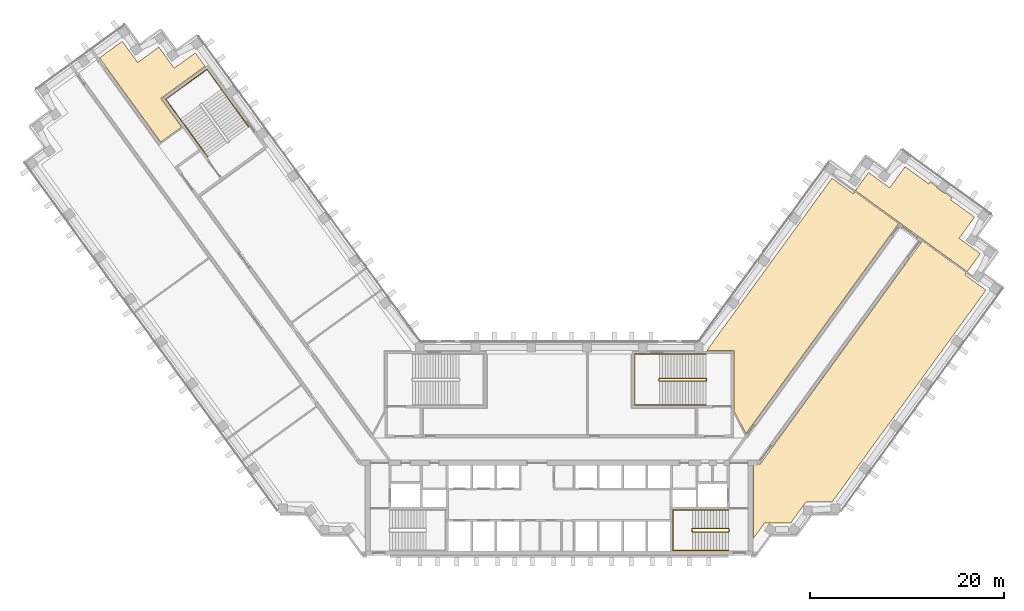
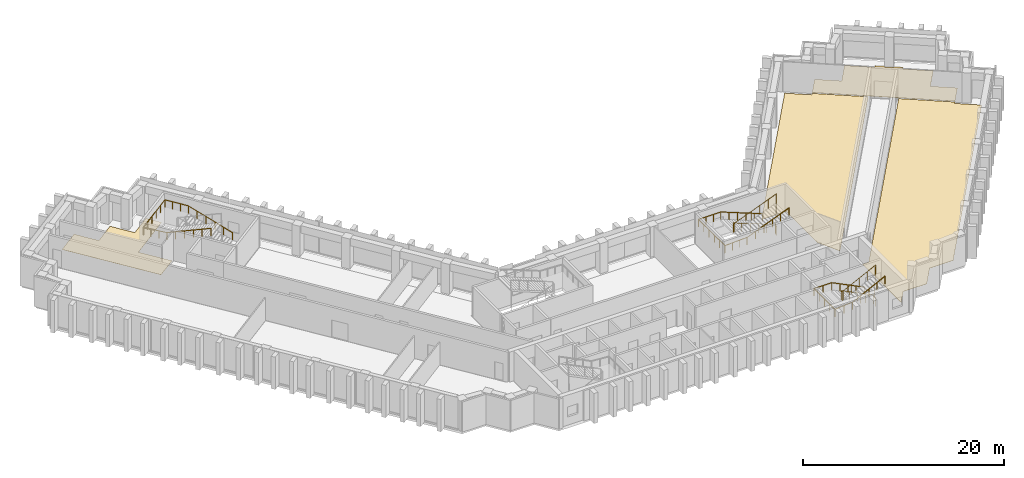
# One storey, part 13 of 13: 5 railings, 4 coverings.
"""IFC4 building model written with IfcOpenShell, lengths in metres."""

from ifc_helpers import new_model, si_unit, direction, frame, origin, origin_2d, place, context, subcontext, project, spatial, polyline, circle, outline, extrude, material, layer, layer_set, type_object, element, save


model = new_model("IFC4")

# Units and contexts
model_context = context("Model", 3, precision=1e-05, world=origin(), true_north=direction((0.0, 1.0)))
body_context = subcontext(model_context, "Body", "Model", "MODEL_VIEW")
ifc_project = project(units=[si_unit("LENGTHUNIT", "METRE"), si_unit("AREAUNIT", "SQUARE_METRE"), si_unit("VOLUMEUNIT", "CUBIC_METRE"), si_unit("PLANEANGLEUNIT", "RADIAN"), si_unit("MASSUNIT", "GRAM", prefix="KILO")], contexts=[model_context])

# Site, building, storey
site_placement = place(None, origin())
site = spatial("IfcSite", under=ifc_project, at=site_placement, CompositionType="ELEMENT")
building_placement = place(site_placement, origin())
building = spatial("IfcBuilding", under=site, at=building_placement, Name="Quipu Civic Tower", CompositionType="ELEMENT")
storey_placement = place(building_placement, frame((0.0, 0.0, 85.0)))
storey = spatial("IfcBuildingStorey", under=building, at=storey_placement, Name="L19", CompositionType="ELEMENT", Elevation=85.0)

# Coverings
ifc_material_1 = material(Name="Carpet tile on raised access floor")
ifc_layer = layer(ifc_material_1, 0.02001953125)
ifc_layer_set = layer_set([ifc_layer], Name="Carpet tile on raised access floor")
covering_type = type_object("IfcCoveringType", Name="Carpet tile floor finish 20", PredefinedType="FLOORING", material=ifc_layer_set)
covering_1_placement = place(storey_placement, origin())
element("IfcCovering", 1, at=covering_1_placement, inside=storey, type_object=covering_type, Name="Carpet tile floor finish 20", PredefinedType="FLOORING", context=body_context, shape_type="SweptSolid", body=[
    extrude(outline(polyline([(-47.471923828125, 40.39794921875), (-45.116943359375, 42.10791015625), (-43.531982421875, 39.925048828125), (-41.346923828125, 41.510986328125), (-39.760009765625, 39.326904296875), (-37.574951171875, 40.9130859375), (-36.570068359375, 39.530029296875), (-41.139892578125, 36.208984375), (-38.998046875, 33.260009765625), (-41.15087890625, 31.697021484375), (-47.471923828125, 40.39794921875)])), origin(), (0.0, 0.0, 1.0), 0.02001953125),
])
covering_2_placement = place(storey_placement, origin())
element("IfcCovering", 2, at=covering_2_placement, inside=storey, type_object=covering_type, Name="Carpet tile floor finish 20", PredefinedType="FLOORING", context=body_context, shape_type="SweptSolid", body=[
    extrude(outline(polyline([(15.238037109375, 10.169921875), (28.169921875, 27.968994140625), (30.35302734375, 26.383056640625), (30.5009765625, 26.583984375), (35.0400390625, 23.2880859375), (19.27197265625, 1.583984375), (18.070068359375, 3.94189453125), (18.070068359375, 10.1689453125), (15.238037109375, 10.169921875)])), origin(), (0.0, 0.0, 1.0), 0.02001953125),
])
covering_3_placement = place(storey_placement, origin())
element("IfcCovering", 3, at=covering_3_placement, inside=storey, type_object=covering_type, Name="Carpet tile floor finish 20", PredefinedType="FLOORING", context=body_context, shape_type="SweptSolid", body=[
    extrude(outline(polyline([(20.070068359375, -9.195068359375), (20.070068359375, -1.52001953125), (20.77490234375, -1.51904296875), (37.4990234375, 21.5), (42.0380859375, 18.201904296875), (41.89208984375, 17.9990234375), (44.074951171875, 16.4140625), (28.181884765625, -5.4609375), (25.48193359375, -5.4619140625), (25.2080078125, -5.840087890625), (25.205078125, -5.841064453125), (25.200927734375, -5.843017578125), (25.197021484375, -5.844970703125), (25.193115234375, -5.847900390625), (25.18896484375, -5.85205078125), (25.18603515625, -5.85498046875), (25.18310546875, -5.85888671875), (25.179931640625, -5.863037109375), (25.177978515625, -5.867919921875), (25.177001953125, -5.8720703125), (25.175048828125, -5.876953125), (25.175048828125, -5.882080078125), (25.174072265625, -5.885986328125), (23.89501953125, -7.64599609375), (21.721923828125, -7.64599609375), (21.721923828125, -7.64599609375), (21.718017578125, -7.64306640625), (21.712890625, -7.64111328125), (21.708984375, -7.638916015625), (21.7041015625, -7.637939453125), (21.698974609375, -7.636962890625), (21.694091796875, -7.635986328125), (21.68896484375, -7.636962890625), (21.68408203125, -7.636962890625), (21.679931640625, -7.637939453125), (21.675048828125, -7.639892578125), (21.669921875, -7.64111328125), (21.666015625, -7.64404296875), (21.6630859375, -7.64599609375), (21.196044921875, -7.64599609375), (20.070068359375, -9.195068359375)])), origin(), (0.0, 0.0, 1.0), 0.02001953125),
])
covering_4_placement = place(storey_placement, origin())
element("IfcCovering", 4, at=covering_4_placement, inside=storey, type_object=covering_type, Name="Carpet tile floor finish 20", PredefinedType="FLOORING", context=body_context, shape_type="SweptSolid", body=[
    extrude(outline(polyline([(30.583984375, 26.697021484375), (31.94189453125, 28.56591796875), (34.126953125, 26.97998046875), (35.712890625, 29.1640625), (38.169921875, 27.37890625), (38.324951171875, 27.587890625), (39.044921875, 27.06396484375), (39.02197265625, 27.031982421875), (39.01904296875, 27.028076171875), (39.01708984375, 27.02294921875), (39.014892578125, 27.01904296875), (39.013916015625, 27.013916015625), (39.012939453125, 27.009033203125), (39.011962890625, 27.00390625), (39.011962890625, 27.0), (39.012939453125, 26.9951171875), (39.013916015625, 26.989990234375), (39.014892578125, 26.985107421875), (39.01708984375, 26.98095703125), (39.02001953125, 26.97607421875), (39.02197265625, 26.971923828125), (39.02490234375, 26.968994140625), (39.029052734375, 26.965087890625), (39.032958984375, 26.9619140625), (39.760986328125, 26.43310546875), (39.764892578125, 26.429931640625), (39.76904296875, 26.427978515625), (39.77392578125, 26.426025390625), (39.779052734375, 26.425048828125), (39.782958984375, 26.424072265625), (39.7880859375, 26.423095703125), (39.79296875, 26.424072265625), (39.798095703125, 26.424072265625), (39.802978515625, 26.425048828125), (39.80810546875, 26.427001953125), (39.81201171875, 26.427978515625), (39.81591796875, 26.430908203125), (39.820068359375, 26.43408203125), (39.823974609375, 26.43701171875), (39.827880859375, 26.43994140625), (39.8310546875, 26.444091796875), (39.85400390625, 26.47705078125), (40.574951171875, 25.952880859375), (40.424072265625, 25.740966796875), (42.881103515625, 23.95703125), (41.2939453125, 21.77294921875), (43.47802734375, 20.18505859375), (42.12109375, 18.31591796875), (30.583984375, 26.697021484375)])), origin(), (0.0, 0.0, 1.0), 0.02001953125),
])

# Railings
ifc_material_2 = material(Name="Stainless steel", Category="steel")
railing_type_1 = type_object("IfcRailingType", Name="Stair guard 1100", PredefinedType="GUARDRAIL", material=ifc_material_2)
railing_1_placement = place(storey_placement, frame((17.5, -8.199951171875, 0.15380859375)))
element("IfcRailing", 5, at=railing_1_placement, inside=storey, type_object=railing_type_1, Name="Stair 2 guard", PredefinedType="GUARDRAIL", context=body_context, shape_type="SweptSolid", body=[
    extrude(circle(Radius=0.02392578125, at=origin_2d()), frame((0.0, 0.0, 1.076171875), z_axis=(-0.895751851347, 0.0, 0.444554407028), x_axis=(0.0, -1.0, 0.0)), (0.0, 0.0, 1.0), 4.15283203125),
    extrude(circle(Radius=0.02392578125, at=origin_2d()), frame((-3.719970703125, 0.0, 2.92236328125), z_axis=(-0.707106781187, -0.707106781187, 0.0), x_axis=(0.707106781187, -0.707106781187, 0.0)), (0.0, 0.0, 1.0), 0.07080078125),
    extrude(circle(Radius=0.02392578125, at=origin_2d()), frame((-3.77001953125, -0.050048828125, 2.92236328125), z_axis=(0.0, -1.0, 0.0), x_axis=(1.0, 0.0, 0.0)), (0.0, 0.0, 1.0), 0.25),
    extrude(circle(Radius=0.02392578125, at=origin_2d()), frame((-3.77001953125, -0.300048828125, 2.92236328125), z_axis=(0.295599637079, -0.295599637079, 0.908428152975), x_axis=(0.707106781187, 0.707106781187, 0.0)), (0.0, 0.0, 1.0), 0.16943359375),
    extrude(circle(Radius=0.02392578125, at=origin_2d()), frame((-3.719970703125, -0.35009765625, 3.076171875), z_axis=(0.895751851347, 0.0, 0.444554407028), x_axis=(0.0, 1.0, 0.0)), (0.0, 0.0, 1.0), 4.15283203125),
    extrude(circle(Radius=0.02392578125, at=origin_2d()), frame((0.0, -0.35009765625, 4.92236328125), z_axis=(0.012476181752, 0.074796231092, -0.997120789425), x_axis=(-0.986372223864, 0.164529134168, 0.0)), (0.0, 0.0, 1.0), 4.011474609375),
    extrude(circle(Radius=0.02392578125, at=origin_2d()), frame((0.050048828125, -0.050048828125, 0.92236328125), z_axis=(0.0, -1.0, 0.0), x_axis=(1.0, 0.0, 0.0)), (0.0, 0.0, 1.0), 0.25),
    extrude(circle(Radius=0.02099609375, at=origin_2d()), origin(), (0.0, 0.0, 1.0), 1.052001953125),
    extrude(circle(Radius=0.02099609375, at=origin_2d()), frame((-0.929931640625, 0.0, 0.46142578125)), (0.0, 0.0, 1.0), 1.052001953125),
    extrude(circle(Radius=0.02099609375, at=origin_2d()), frame((-1.85986328125, 0.0, 0.923095703125)), (0.0, 0.0, 1.0), 1.052001953125),
    extrude(circle(Radius=0.02099609375, at=origin_2d()), frame((-2.7900390625, 0.0, 1.384765625)), (0.0, 0.0, 1.0), 1.052001953125),
    extrude(circle(Radius=0.02099609375, at=origin_2d()), frame((-3.719970703125, 0.0, 1.84619140625)), (0.0, 0.0, 1.0), 1.052001953125),
    extrude(circle(Radius=0.02099609375, at=origin_2d()), frame((-3.77001953125, -0.050048828125, 1.84619140625)), (0.0, 0.0, 1.0), 1.052001953125),
    extrude(circle(Radius=0.02099609375, at=origin_2d()), frame((-3.77001953125, -0.300048828125, 1.84619140625)), (0.0, 0.0, 1.0), 1.052001953125),
    extrude(circle(Radius=0.02099609375, at=origin_2d()), frame((-3.719970703125, -0.35009765625, 2.0)), (0.0, 0.0, 1.0), 1.052001953125),
    extrude(circle(Radius=0.02099609375, at=origin_2d()), frame((-2.7900390625, -0.35009765625, 2.46142578125)), (0.0, 0.0, 1.0), 1.052001953125),
    extrude(circle(Radius=0.02099609375, at=origin_2d()), frame((-1.85986328125, -0.35009765625, 2.923095703125)), (0.0, 0.0, 1.0), 1.052001953125),
    extrude(circle(Radius=0.02099609375, at=origin_2d()), frame((-0.929931640625, -0.35009765625, 3.384765625)), (0.0, 0.0, 1.0), 1.052001953125),
    extrude(circle(Radius=0.02099609375, at=origin_2d()), frame((0.0, -0.35009765625, 3.84619140625)), (0.0, 0.0, 1.0), 1.052001953125),
    extrude(circle(Radius=0.02099609375, at=origin_2d()), frame((0.012451171875, -0.275146484375, 2.84619140625)), (0.0, 0.0, 1.0), 1.052001953125),
    extrude(circle(Radius=0.02099609375, at=origin_2d()), frame((0.02490234375, -0.2001953125, 1.84619140625)), (0.0, 0.0, 1.0), 1.052001953125),
    extrude(circle(Radius=0.02099609375, at=origin_2d()), frame((0.03759765625, -0.125, 0.84619140625)), (0.0, 0.0, 1.0), 1.052001953125),
    extrude(circle(Radius=0.02099609375, at=origin_2d()), frame((0.050048828125, -0.050048828125, -0.15380859375)), (0.0, 0.0, 1.0), 1.052001953125),
    extrude(circle(Radius=0.02099609375, at=origin_2d()), frame((0.050048828125, -0.300048828125, -0.15380859375)), (0.0, 0.0, 1.0), 1.052001953125),
])
railing_2_placement = place(storey_placement, frame((15.14990234375, 7.300048828125, 0.11767578125)))
element("IfcRailing", 6, at=railing_2_placement, inside=storey, type_object=railing_type_1, Name="Stair 4 guard", PredefinedType="GUARDRAIL", context=body_context, shape_type="SweptSolid", body=[
    extrude(circle(Radius=0.02392578125, at=origin_2d()), frame((0.0, 0.0, 1.076171875), z_axis=(-0.930970042603, 0.0, 0.365095576219), x_axis=(0.0, -1.0, 0.0)), (0.0, 0.0, 1.0), 5.15576171875),
    extrude(circle(Radius=0.02392578125, at=origin_2d()), frame((-4.7998046875, 0.0, 2.95849609375), z_axis=(-0.707106781187, -0.707106781187, 0.0), x_axis=(0.707106781187, -0.707106781187, 0.0)), (0.0, 0.0, 1.0), 0.07080078125),
    extrude(circle(Radius=0.02392578125, at=origin_2d()), frame((-4.849853515625, -0.050048828125, 2.95849609375), z_axis=(0.0, -1.0, 0.0), x_axis=(1.0, 0.0, 0.0)), (0.0, 0.0, 1.0), 0.14990234375),
    extrude(circle(Radius=0.02392578125, at=origin_2d()), frame((-4.849853515625, -0.199951171875, 2.95849609375), z_axis=(0.364463019033, -0.364463019033, 0.856932561824), x_axis=(0.707106781187, 0.707106781187, 0.0)), (0.0, 0.0, 1.0), 0.13720703125),
    extrude(circle(Radius=0.02392578125, at=origin_2d()), frame((-4.7998046875, -0.25, 3.076171875), z_axis=(0.930970042603, 0.0, 0.365095576219), x_axis=(0.0, 1.0, 0.0)), (0.0, 0.0, 1.0), 5.15576171875),
    extrude(circle(Radius=0.02392578125, at=origin_2d()), frame((0.0, -0.25, 4.95849609375), z_axis=(0.012495627992, 0.049921557685, -0.998674970829), x_axis=(-0.970072785993, 0.242814311512, 0.0)), (0.0, 0.0, 1.0), 4.00537109375),
    extrude(circle(Radius=0.02392578125, at=origin_2d()), frame((0.050048828125, -0.050048828125, 0.95849609375), z_axis=(0.0, -1.0, 0.0), x_axis=(1.0, 0.0, 0.0)), (0.0, 0.0, 1.0), 0.14990234375),
    extrude(circle(Radius=0.02099609375, at=origin_2d()), origin(), (0.0, 0.0, 1.0), 1.052001953125),
    extrude(circle(Radius=0.02099609375, at=origin_2d()), frame((-0.9599609375, 0.0, 0.37646484375)), (0.0, 0.0, 1.0), 1.052001953125),
    extrude(circle(Radius=0.02099609375, at=origin_2d()), frame((-1.919921875, 0.0, 0.7529296875)), (0.0, 0.0, 1.0), 1.052001953125),
    extrude(circle(Radius=0.02099609375, at=origin_2d()), frame((-2.8798828125, 0.0, 1.12939453125)), (0.0, 0.0, 1.0), 1.052001953125),
    extrude(circle(Radius=0.02099609375, at=origin_2d()), frame((-3.83984375, 0.0, 1.505859375)), (0.0, 0.0, 1.0), 1.052001953125),
    extrude(circle(Radius=0.02099609375, at=origin_2d()), frame((-4.7998046875, 0.0, 1.88232421875)), (0.0, 0.0, 1.0), 1.052001953125),
    extrude(circle(Radius=0.02099609375, at=origin_2d()), frame((-4.849853515625, -0.050048828125, 1.88232421875)), (0.0, 0.0, 1.0), 1.052001953125),
    extrude(circle(Radius=0.02099609375, at=origin_2d()), frame((-4.849853515625, -0.199951171875, 1.88232421875)), (0.0, 0.0, 1.0), 1.052001953125),
    extrude(circle(Radius=0.02099609375, at=origin_2d()), frame((-4.7998046875, -0.25, 2.0)), (0.0, 0.0, 1.0), 1.052001953125),
    extrude(circle(Radius=0.02099609375, at=origin_2d()), frame((-3.83984375, -0.25, 2.37646484375)), (0.0, 0.0, 1.0), 1.052001953125),
    extrude(circle(Radius=0.02099609375, at=origin_2d()), frame((-2.8798828125, -0.25, 2.7529296875)), (0.0, 0.0, 1.0), 1.052001953125),
    extrude(circle(Radius=0.02099609375, at=origin_2d()), frame((-1.919921875, -0.25, 3.12939453125)), (0.0, 0.0, 1.0), 1.052001953125),
    extrude(circle(Radius=0.02099609375, at=origin_2d()), frame((-0.9599609375, -0.25, 3.505859375)), (0.0, 0.0, 1.0), 1.052001953125),
    extrude(circle(Radius=0.02099609375, at=origin_2d()), frame((0.0, -0.25, 3.88232421875)), (0.0, 0.0, 1.0), 1.052001953125),
    extrude(circle(Radius=0.02099609375, at=origin_2d()), frame((0.012451171875, -0.199951171875, 2.88232421875)), (0.0, 0.0, 1.0), 1.052001953125),
    extrude(circle(Radius=0.02099609375, at=origin_2d()), frame((0.02490234375, -0.14990234375, 1.88232421875)), (0.0, 0.0, 1.0), 1.052001953125),
    extrude(circle(Radius=0.02099609375, at=origin_2d()), frame((0.03759765625, -0.10009765625, 0.88232421875)), (0.0, 0.0, 1.0), 1.052001953125),
    extrude(circle(Radius=0.02099609375, at=origin_2d()), frame((0.050048828125, -0.050048828125, -0.11767578125)), (0.0, 0.0, 1.0), 1.052001953125),
    extrude(circle(Radius=0.02099609375, at=origin_2d()), frame((0.050048828125, -0.199951171875, -0.11767578125)), (0.0, 0.0, 1.0), 1.052001953125),
])
ifc_material_3 = material(Name="Stainless steel", Category="steel")
railing_type_2 = type_object("IfcRailingType", Name="Stair handrail", PredefinedType="HANDRAIL", material=ifc_material_3)
railing_3_placement = place(storey_placement, frame((17.5, -6.300048828125, 0.15380859375)))
element("IfcRailing", 7, at=railing_3_placement, inside=storey, type_object=railing_type_2, Name="Stair 2 handrail", PredefinedType="HANDRAIL", context=body_context, shape_type="SweptSolid", body=[
    extrude(circle(Radius=0.02392578125, at=origin_2d()), frame((0.0, 0.0, 0.8759765625), z_axis=(-0.895751851347, 0.0, 0.444554407028), x_axis=(0.0, -1.0, 0.0)), (0.0, 0.0, 1.0), 4.15283203125),
    extrude(circle(Radius=0.02392578125, at=origin_2d()), frame((-3.719970703125, 0.0, 2.72216796875), z_axis=(-1.0, 0.0, 0.0), x_axis=(0.0, -1.0, 0.0)), (0.0, 0.0, 1.0), 2.030029296875),
    extrude(circle(Radius=0.02392578125, at=origin_2d()), frame((-5.75, 0.0, 2.72216796875), z_axis=(0.0, -1.0, 0.0), x_axis=(1.0, 0.0, 0.0)), (0.0, 0.0, 1.0), 4.14990234375),
    extrude(circle(Radius=0.02392578125, at=origin_2d()), frame((-5.75, -4.14990234375, 2.72216796875), z_axis=(0.997142003663, 0.0, 0.075550145798), x_axis=(0.0, 1.0, 0.0)), (0.0, 0.0, 1.0), 2.035888671875),
    extrude(circle(Radius=0.02392578125, at=origin_2d()), frame((-3.719970703125, -4.14990234375, 2.8759765625), z_axis=(0.895751851347, 0.0, 0.444554407028), x_axis=(0.0, 1.0, 0.0)), (0.0, 0.0, 1.0), 4.15283203125),
    extrude(circle(Radius=0.02099609375, at=origin_2d()), origin(), (0.0, 0.0, 1.0), 0.851806640625),
    extrude(circle(Radius=0.02099609375, at=origin_2d()), frame((-0.929931640625, 0.0, 0.46142578125)), (0.0, 0.0, 1.0), 0.851806640625),
    extrude(circle(Radius=0.02099609375, at=origin_2d()), frame((-1.85986328125, 0.0, 0.923095703125)), (0.0, 0.0, 1.0), 0.851806640625),
    extrude(circle(Radius=0.02099609375, at=origin_2d()), frame((-2.7900390625, 0.0, 1.384765625)), (0.0, 0.0, 1.0), 0.851806640625),
    extrude(circle(Radius=0.02099609375, at=origin_2d()), frame((-3.719970703125, 0.0, 1.84619140625)), (0.0, 0.0, 1.0), 0.851806640625),
    extrude(circle(Radius=0.02099609375, at=origin_2d()), frame((-4.73486328125, 0.0, 1.84619140625)), (0.0, 0.0, 1.0), 0.851806640625),
    extrude(circle(Radius=0.02099609375, at=origin_2d()), frame((-5.75, 0.0, 1.84619140625)), (0.0, 0.0, 1.0), 0.851806640625),
    extrude(circle(Radius=0.02099609375, at=origin_2d()), frame((-5.75, -1.03759765625, 1.84619140625)), (0.0, 0.0, 1.0), 0.851806640625),
    extrude(circle(Radius=0.02099609375, at=origin_2d()), frame((-5.75, -2.074951171875, 1.84619140625)), (0.0, 0.0, 1.0), 0.851806640625),
    extrude(circle(Radius=0.02099609375, at=origin_2d()), frame((-5.75, -3.1123046875, 1.84619140625)), (0.0, 0.0, 1.0), 0.851806640625),
    extrude(circle(Radius=0.02099609375, at=origin_2d()), frame((-5.75, -4.14990234375, 1.84619140625)), (0.0, 0.0, 1.0), 0.851806640625),
    extrude(circle(Radius=0.02099609375, at=origin_2d()), frame((-4.73486328125, -4.14990234375, 1.923095703125)), (0.0, 0.0, 1.0), 0.851806640625),
    extrude(circle(Radius=0.02099609375, at=origin_2d()), frame((-3.719970703125, -4.14990234375, 2.0)), (0.0, 0.0, 1.0), 0.851806640625),
    extrude(circle(Radius=0.02099609375, at=origin_2d()), frame((-2.7900390625, -4.14990234375, 2.46142578125)), (0.0, 0.0, 1.0), 0.851806640625),
    extrude(circle(Radius=0.02099609375, at=origin_2d()), frame((-1.85986328125, -4.14990234375, 2.923095703125)), (0.0, 0.0, 1.0), 0.851806640625),
    extrude(circle(Radius=0.02099609375, at=origin_2d()), frame((-0.929931640625, -4.14990234375, 3.384765625)), (0.0, 0.0, 1.0), 0.851806640625),
    extrude(circle(Radius=0.02099609375, at=origin_2d()), frame((0.0, -4.14990234375, 3.84619140625)), (0.0, 0.0, 1.0), 0.851806640625),
])
railing_4_placement = place(storey_placement, frame((15.14990234375, 9.800048828125, 0.11767578125)))
element("IfcRailing", 8, at=railing_4_placement, inside=storey, type_object=railing_type_2, Name="Stair 4 handrail", PredefinedType="HANDRAIL", context=body_context, shape_type="SweptSolid", body=[
    extrude(circle(Radius=0.02392578125, at=origin_2d()), frame((0.0, 0.0, 0.8759765625), z_axis=(-0.930970042603, 0.0, 0.365095576219), x_axis=(0.0, -1.0, 0.0)), (0.0, 0.0, 1.0), 5.15576171875),
    extrude(circle(Radius=0.02392578125, at=origin_2d()), frame((-4.7998046875, 0.0, 2.75830078125), z_axis=(-1.0, 0.0, 0.0), x_axis=(0.0, -1.0, 0.0)), (0.0, 0.0, 1.0), 2.550048828125),
    extrude(circle(Radius=0.02392578125, at=origin_2d()), frame((-7.349853515625, 0.0, 2.75830078125), z_axis=(0.0, -1.0, 0.0), x_axis=(1.0, 0.0, 0.0)), (0.0, 0.0, 1.0), 5.25),
    extrude(circle(Radius=0.02392578125, at=origin_2d()), frame((-7.349853515625, -5.25, 2.75830078125), z_axis=(0.998936948642, 0.0, 0.04609742549), x_axis=(0.0, 1.0, 0.0)), (0.0, 0.0, 1.0), 2.552734375),
    extrude(circle(Radius=0.02392578125, at=origin_2d()), frame((-4.7998046875, -5.25, 2.8759765625), z_axis=(0.930970042603, 0.0, 0.365095576219), x_axis=(0.0, 1.0, 0.0)), (0.0, 0.0, 1.0), 5.15576171875),
    extrude(circle(Radius=0.02099609375, at=origin_2d()), origin(), (0.0, 0.0, 1.0), 0.851806640625),
    extrude(circle(Radius=0.02099609375, at=origin_2d()), frame((-0.9599609375, 0.0, 0.37646484375)), (0.0, 0.0, 1.0), 0.851806640625),
    extrude(circle(Radius=0.02099609375, at=origin_2d()), frame((-1.919921875, 0.0, 0.7529296875)), (0.0, 0.0, 1.0), 0.851806640625),
    extrude(circle(Radius=0.02099609375, at=origin_2d()), frame((-2.8798828125, 0.0, 1.12939453125)), (0.0, 0.0, 1.0), 0.851806640625),
    extrude(circle(Radius=0.02099609375, at=origin_2d()), frame((-3.83984375, 0.0, 1.505859375)), (0.0, 0.0, 1.0), 0.851806640625),
    extrude(circle(Radius=0.02099609375, at=origin_2d()), frame((-4.7998046875, 0.0, 1.88232421875)), (0.0, 0.0, 1.0), 0.851806640625),
    extrude(circle(Radius=0.02099609375, at=origin_2d()), frame((-5.64990234375, 0.0, 1.88232421875)), (0.0, 0.0, 1.0), 0.851806640625),
    extrude(circle(Radius=0.02099609375, at=origin_2d()), frame((-6.499755859375, 0.0, 1.88232421875)), (0.0, 0.0, 1.0), 0.851806640625),
    extrude(circle(Radius=0.02099609375, at=origin_2d()), frame((-7.349853515625, 0.0, 1.88232421875)), (0.0, 0.0, 1.0), 0.851806640625),
    extrude(circle(Radius=0.02099609375, at=origin_2d()), frame((-7.349853515625, -1.050048828125, 1.88232421875)), (0.0, 0.0, 1.0), 0.851806640625),
    extrude(circle(Radius=0.02099609375, at=origin_2d()), frame((-7.349853515625, -2.10009765625, 1.88232421875)), (0.0, 0.0, 1.0), 0.851806640625),
    extrude(circle(Radius=0.02099609375, at=origin_2d()), frame((-7.349853515625, -3.14990234375, 1.88232421875)), (0.0, 0.0, 1.0), 0.851806640625),
    extrude(circle(Radius=0.02099609375, at=origin_2d()), frame((-7.349853515625, -4.199951171875, 1.88232421875)), (0.0, 0.0, 1.0), 0.851806640625),
    extrude(circle(Radius=0.02099609375, at=origin_2d()), frame((-7.349853515625, -5.25, 1.88232421875)), (0.0, 0.0, 1.0), 0.851806640625),
    extrude(circle(Radius=0.02099609375, at=origin_2d()), frame((-6.499755859375, -5.25, 1.921630859375)), (0.0, 0.0, 1.0), 0.851806640625),
    extrude(circle(Radius=0.02099609375, at=origin_2d()), frame((-5.64990234375, -5.25, 1.960693359375)), (0.0, 0.0, 1.0), 0.851806640625),
    extrude(circle(Radius=0.02099609375, at=origin_2d()), frame((-4.7998046875, -5.25, 2.0)), (0.0, 0.0, 1.0), 0.851806640625),
    extrude(circle(Radius=0.02099609375, at=origin_2d()), frame((-3.83984375, -5.25, 2.37646484375)), (0.0, 0.0, 1.0), 0.851806640625),
    extrude(circle(Radius=0.02099609375, at=origin_2d()), frame((-2.8798828125, -5.25, 2.7529296875)), (0.0, 0.0, 1.0), 0.851806640625),
    extrude(circle(Radius=0.02099609375, at=origin_2d()), frame((-1.919921875, -5.25, 3.12939453125)), (0.0, 0.0, 1.0), 0.851806640625),
    extrude(circle(Radius=0.02099609375, at=origin_2d()), frame((-0.9599609375, -5.25, 3.505859375)), (0.0, 0.0, 1.0), 0.851806640625),
    extrude(circle(Radius=0.02099609375, at=origin_2d()), frame((0.0, -5.25, 3.88232421875)), (0.0, 0.0, 1.0), 0.851806640625),
])
railing_5_placement = place(storey_placement, frame((-32.056396484375, 33.266845703125, 0.11767578125)))
element("IfcRailing", 9, at=railing_5_placement, inside=storey, type_object=railing_type_2, Name="Stair 6 handrail", PredefinedType="HANDRAIL", context=body_context, shape_type="SweptSolid", body=[
    extrude(circle(Radius=0.02392578125, at=origin_2d()), frame((0.0, 0.0, 0.8759765625), z_axis=(-0.54720100349, 0.753182689643, 0.365084781664), x_axis=(-0.809026317077, -0.587772420479, 0.0)), (0.0, 0.0, 1.0), 5.15576171875),
    extrude(circle(Radius=0.02392578125, at=origin_2d()), frame((-2.8212890625, 3.88330078125, 2.75830078125), z_axis=(-0.587767432704, 0.809029940764, 0.0), x_axis=(-0.809029940764, -0.587767432704, 0.0)), (0.0, 0.0, 1.0), 2.550048828125),
    extrude(circle(Radius=0.02392578125, at=origin_2d()), frame((-4.320068359375, 5.9462890625, 2.75830078125), z_axis=(-0.809009483706, -0.587795589702, 0.0), x_axis=(0.587795589702, -0.809009483706, 0.0)), (0.0, 0.0, 1.0), 5.25),
    extrude(circle(Radius=0.02392578125, at=origin_2d()), frame((-8.5673828125, 2.8603515625, 2.75830078125), z_axis=(0.587142558822, -0.808169835812, 0.046099155132), x_axis=(0.809029940764, 0.587767432704, 0.0)), (0.0, 0.0, 1.0), 2.552734375),
    extrude(circle(Radius=0.02392578125, at=origin_2d()), frame((-7.068603515625, 0.79736328125, 2.8759765625), z_axis=(0.54720100349, -0.753182689643, 0.365084781664), x_axis=(0.809026317077, 0.587772420479, 0.0)), (0.0, 0.0, 1.0), 5.15576171875),
    extrude(circle(Radius=0.02099609375, at=origin_2d()), origin(), (0.0, 0.0, 1.0), 0.851806640625),
    extrude(circle(Radius=0.02099609375, at=origin_2d()), frame((-0.564208984375, 0.776611328125, 0.37646484375)), (0.0, 0.0, 1.0), 0.851806640625),
    extrude(circle(Radius=0.02099609375, at=origin_2d()), frame((-1.12841796875, 1.55322265625, 0.7529296875)), (0.0, 0.0, 1.0), 0.851806640625),
    extrude(circle(Radius=0.02099609375, at=origin_2d()), frame((-1.69287109375, 2.330078125, 1.12939453125)), (0.0, 0.0, 1.0), 0.851806640625),
    extrude(circle(Radius=0.02099609375, at=origin_2d()), frame((-2.257080078125, 3.106689453125, 1.505859375)), (0.0, 0.0, 1.0), 0.851806640625),
    extrude(circle(Radius=0.02099609375, at=origin_2d()), frame((-2.8212890625, 3.88330078125, 1.88232421875)), (0.0, 0.0, 1.0), 0.851806640625),
    extrude(circle(Radius=0.02099609375, at=origin_2d()), frame((-3.32080078125, 4.571044921875, 1.88232421875)), (0.0, 0.0, 1.0), 0.851806640625),
    extrude(circle(Radius=0.02099609375, at=origin_2d()), frame((-3.820556640625, 5.258544921875, 1.88232421875)), (0.0, 0.0, 1.0), 0.851806640625),
    extrude(circle(Radius=0.02099609375, at=origin_2d()), frame((-4.320068359375, 5.9462890625, 1.88232421875)), (0.0, 0.0, 1.0), 0.851806640625),
    extrude(circle(Radius=0.02099609375, at=origin_2d()), frame((-5.16943359375, 5.3291015625, 1.88232421875)), (0.0, 0.0, 1.0), 0.851806640625),
    extrude(circle(Radius=0.02099609375, at=origin_2d()), frame((-6.01904296875, 4.7119140625, 1.88232421875)), (0.0, 0.0, 1.0), 0.851806640625),
    extrude(circle(Radius=0.02099609375, at=origin_2d()), frame((-6.868408203125, 4.0947265625, 1.88232421875)), (0.0, 0.0, 1.0), 0.851806640625),
    extrude(circle(Radius=0.02099609375, at=origin_2d()), frame((-7.718017578125, 3.4775390625, 1.88232421875)), (0.0, 0.0, 1.0), 0.851806640625),
    extrude(circle(Radius=0.02099609375, at=origin_2d()), frame((-8.5673828125, 2.8603515625, 1.88232421875)), (0.0, 0.0, 1.0), 0.851806640625),
    extrude(circle(Radius=0.02099609375, at=origin_2d()), frame((-8.06787109375, 2.172607421875, 1.921630859375)), (0.0, 0.0, 1.0), 0.851806640625),
    extrude(circle(Radius=0.02099609375, at=origin_2d()), frame((-7.568115234375, 1.485107421875, 1.960693359375)), (0.0, 0.0, 1.0), 0.851806640625),
    extrude(circle(Radius=0.02099609375, at=origin_2d()), frame((-7.068603515625, 0.79736328125, 2.0)), (0.0, 0.0, 1.0), 0.851806640625),
    extrude(circle(Radius=0.02099609375, at=origin_2d()), frame((-6.50439453125, 0.020751953125, 2.37646484375)), (0.0, 0.0, 1.0), 0.851806640625),
    extrude(circle(Radius=0.02099609375, at=origin_2d()), frame((-5.940185546875, -0.755859375, 2.7529296875)), (0.0, 0.0, 1.0), 0.851806640625),
    extrude(circle(Radius=0.02099609375, at=origin_2d()), frame((-5.375732421875, -1.53271484375, 3.12939453125)), (0.0, 0.0, 1.0), 0.851806640625),
    extrude(circle(Radius=0.02099609375, at=origin_2d()), frame((-4.8115234375, -2.309326171875, 3.505859375)), (0.0, 0.0, 1.0), 0.851806640625),
    extrude(circle(Radius=0.02099609375, at=origin_2d()), frame((-4.247314453125, -3.0859375, 3.88232421875)), (0.0, 0.0, 1.0), 0.851806640625),
])

save(model, "model.ifc")
